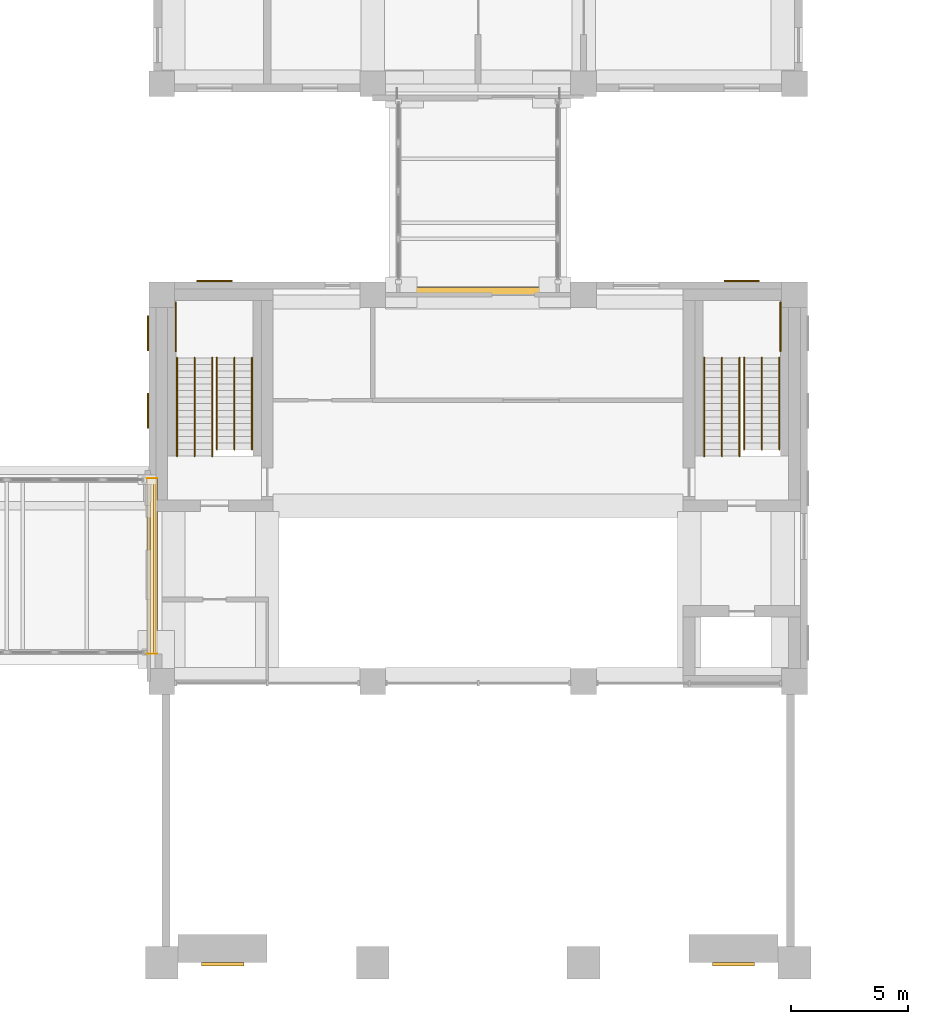
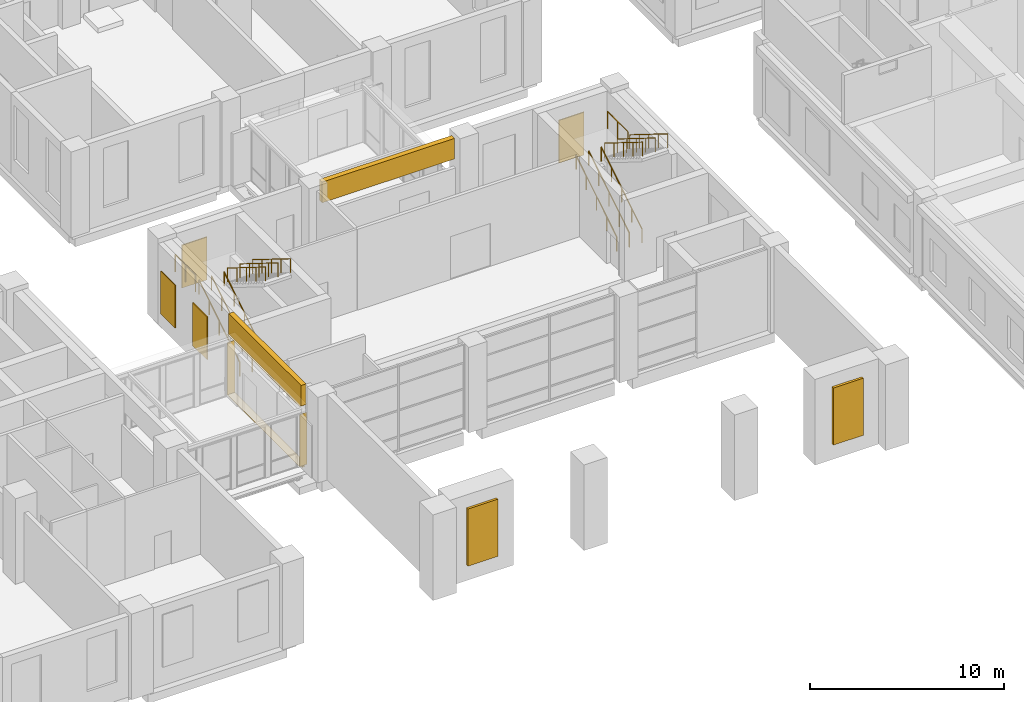
# One storey, part 44 of 52: 14 railings, 13 coverings.
"""IFC4 building model written with IfcOpenShell, lengths in metres."""

from ifc_helpers import new_model, si_unit, direction, frame, origin, origin_2d, place, context, subcontext, project, spatial, rectangle, circle, extrude, material, layer, layer_set, type_object, element, save


model = new_model("IFC4")

# Units and contexts
model_context = context("Model", 3, precision=1e-05, world=origin(), true_north=direction((0.0, 1.0)))
body_context = subcontext(model_context, "Body", "Model", "MODEL_VIEW")
ifc_project = project(units=[si_unit("LENGTHUNIT", "METRE"), si_unit("AREAUNIT", "SQUARE_METRE"), si_unit("VOLUMEUNIT", "CUBIC_METRE"), si_unit("PLANEANGLEUNIT", "RADIAN"), si_unit("MASSUNIT", "GRAM", prefix="KILO")], contexts=[model_context])

# Site, building, storey
site_placement = place(None, origin())
site = spatial("IfcSite", under=ifc_project, at=site_placement, CompositionType="ELEMENT")
building_placement = place(site_placement, origin())
building = spatial("IfcBuilding", under=site, at=building_placement, Name="Aurelan Courthouse", CompositionType="ELEMENT")
storey_placement = place(building_placement, frame((0.0, 0.0, 6.60009765625)))
storey = spatial("IfcBuildingStorey", under=building, at=storey_placement, Name="L01", CompositionType="ELEMENT", Elevation=6.60009765625)

# Coverings
ifc_material_1 = material(Name="Bronze sheet cladding")
ifc_layer_1 = layer(ifc_material_1, 0.06005859375)
ifc_layer_set_1 = layer_set([ifc_layer_1], Name="Bronze sheet cladding")
covering_type_1 = type_object("IfcCoveringType", Name="Ceremonial Court blind bay 1500 x 2700", PredefinedType="CLADDING", material=ifc_layer_set_1)
for number, where, z_axis, x_axis, name in (
    (1, (38.25, 29.080078125, 0.89990234375), (0.0, 0.0, 1.0), (1.0, 0.0, 0.0), "Blind bay BB-V1-L01-001"),
    (2, (60.75, 29.080078125, 0.89990234375), (0.0, 0.0, 1.0), (1.0, 0.0, 0.0), "Blind bay BB-V1-L01-002"),
):
    element("IfcCovering", number, at=place(storey_placement, frame(where, z_axis=z_axis, x_axis=x_axis)), inside=storey, type_object=covering_type_1, Name=name, PredefinedType="CLADDING", context=body_context, shape_type="SweptSolid", body=[
        extrude(rectangle(XDim=1.5, YDim=0.06005859375, at=origin_2d()), origin(), (0.0, 0.0, 1.0), 2.699951171875),
    ])
for number, where, z_axis, x_axis, name in (
    (3, (35.419921875, 23.550048828125, 0.89990234375), (0.0, 0.0, 1.0), (1.0, 0.0, 0.0), "Blind bay BB-V1-L01-007"),
    (4, (35.419921875, 26.85009765625, 0.89990234375), (0.0, 0.0, 1.0), (1.0, 0.0, 0.0), "Blind bay BB-V1-L01-008"),
):
    element("IfcCovering", number, at=place(storey_placement, frame(where, z_axis=z_axis, x_axis=x_axis)), inside=storey, type_object=covering_type_1, Name=name, PredefinedType="CLADDING", context=body_context, shape_type="SweptSolid", body=[
        extrude(rectangle(XDim=0.06005859375, YDim=1.5, at=origin_2d()), origin(), (0.0, 0.0, 1.0), 2.699951171875),
    ])
ifc_material_2 = material(Name="Stainless steel", Category="steel")
ifc_layer_2 = layer(ifc_material_2, 0.011962890625)
ifc_layer_set_2 = layer_set([ifc_layer_2], Name="Stainless steel")
covering_type_2 = type_object("IfcCoveringType", Name="Joint cover plate 450 x 12", PredefinedType="FLOORING", material=ifc_layer_set_2)
covering_1_placement = place(storey_placement, frame((35.58740234375, 16.925048828125, 0.0), z_axis=(0.0, 0.0, 1.0), x_axis=(1.0, 0.0, 0.0)))
element("IfcCovering", 5, at=covering_1_placement, inside=storey, type_object=covering_type_2, Name="Floor joint cover JC-F1", PredefinedType="FLOORING", context=body_context, shape_type="SweptSolid", body=[
    extrude(rectangle(XDim=0.449951171875, YDim=7.469970703125, at=origin_2d()), origin(), (0.0, 0.0, 1.0), 0.011962890625),
])
ifc_material_3 = material(Name="Waterproofing membrane")
ifc_layer_3 = layer(ifc_material_3, 0.10009765625)
ifc_layer_set_3 = layer_set([ifc_layer_3], Name="Waterproofing membrane")
covering_type_3 = type_object("IfcCoveringType", Name="Joint seal 125 x 100", PredefinedType="MEMBRANE", material=ifc_layer_set_3)
covering_2_placement = place(storey_placement, frame((35.58740234375, 16.925048828125, -0.10009765625), z_axis=(0.0, 0.0, 1.0), x_axis=(1.0, 0.0, 0.0)))
element("IfcCovering", 6, at=covering_2_placement, inside=storey, type_object=covering_type_3, Name="Joint seal JS-1", PredefinedType="MEMBRANE", context=body_context, shape_type="SweptSolid", body=[
    extrude(rectangle(XDim=0.125, YDim=7.469970703125, at=origin_2d()), origin(), (0.0, 0.0, 1.0), 0.10009765625),
])
ifc_material_4 = material(Name="Limestone cladding", Category="masonry")
ifc_layer_4 = layer(ifc_material_4, 0.300048828125)
ifc_layer_set_4 = layer_set([ifc_layer_4], Name="Limestone cladding")
covering_type_4 = type_object("IfcCoveringType", Name="Limestone infill panel 300", PredefinedType="CLADDING", material=ifc_layer_set_4)
covering_3_placement = place(storey_placement, frame((49.5, 28.64990234375, 3.7998046875), z_axis=(0.0, 0.0, 1.0), x_axis=(1.0, 0.0, 0.0)))
element("IfcCovering", 7, at=covering_3_placement, inside=storey, type_object=covering_type_4, Name="Facade infill panel FI-V1-L01-001", PredefinedType="CLADDING", context=body_context, shape_type="SweptSolid", body=[
    extrude(rectangle(XDim=7.89990234375, YDim=0.300048828125, at=origin_2d()), origin(), (0.0, 0.0, 1.0), 1.300048828125),
])
covering_4_placement = place(storey_placement, frame((35.60009765625, 16.925048828125, 3.7998046875), z_axis=(0.0, 0.0, 1.0), x_axis=(1.0, 0.0, 0.0)))
element("IfcCovering", 8, at=covering_4_placement, inside=storey, type_object=covering_type_4, Name="Facade infill panel FI-V1-L01-002", PredefinedType="CLADDING", context=body_context, shape_type="SweptSolid", body=[
    extrude(rectangle(XDim=0.300048828125, YDim=7.5, at=origin_2d()), origin(), (0.0, 0.0, 1.0), 1.300048828125),
])
ifc_layer_5 = layer(ifc_material_1, 0.14990234375)
ifc_layer_set_5 = layer_set([ifc_layer_5], Name="Bronze sheet cladding")
covering_type_5 = type_object("IfcCoveringType", Name="Relief panel 1800 x 3600 x 150", PredefinedType="CLADDING", material=ifc_layer_set_5)
for number, where, z_axis, x_axis, name in (
    (9, (38.60009765625, -0.074951171875, 0.999755859375), (0.0, 0.0, 1.0), (1.0, 0.0, 0.0), "Relief panel RP-V1-003"),
    (10, (60.39990234375, -0.074951171875, 0.999755859375), (0.0, 0.0, 1.0), (1.0, 0.0, 0.0), "Relief panel RP-V1-004"),
):
    element("IfcCovering", number, at=place(storey_placement, frame(where, z_axis=z_axis, x_axis=x_axis)), inside=storey, type_object=covering_type_5, Name=name, PredefinedType="CLADDING", context=body_context, shape_type="SweptSolid", body=[
        extrude(rectangle(XDim=1.800048828125, YDim=0.14990234375, at=origin_2d()), origin(), (0.0, 0.0, 1.0), 3.60009765625),
    ])
ifc_material_5 = material(Name="Zinc standing-seam cladding")
ifc_layer_6 = layer(ifc_material_5, 0.011962890625)
ifc_layer_set_6 = layer_set([ifc_layer_6], Name="Zinc standing-seam cladding")
covering_type_6 = type_object("IfcCoveringType", Name="Roof joint cover 450 x 12", PredefinedType="ROOFING", material=ifc_layer_set_6)
covering_5_placement = place(storey_placement, frame((35.58740234375, 16.925048828125, 3.7998046875), z_axis=(0.0, 0.0, 1.0), x_axis=(1.0, 0.0, 0.0)))
element("IfcCovering", 11, at=covering_5_placement, inside=storey, type_object=covering_type_6, Name="Roof joint cover JC-R1", PredefinedType="ROOFING", context=body_context, shape_type="SweptSolid", body=[
    extrude(rectangle(XDim=0.449951171875, YDim=7.469970703125, at=origin_2d()), origin(), (0.0, 0.0, 1.0), 0.011962890625),
])

# Railings
ifc_material_6 = material(Name="Steel S355", Category="steel")
railing_type_1 = type_object("IfcRailingType", Name="Stair guard 1100", PredefinedType="GUARDRAIL", material=ifc_material_6)
railing_1_placement = place(storey_placement, frame((62.39990234375, 28.169921875, 2.787109375)))
element("IfcRailing", 12, at=railing_1_placement, inside=storey, type_object=railing_type_1, Name="Guard ST-1E-L01-GL1", PredefinedType="GUARDRAIL", context=body_context, shape_type="SweptSolid", body=[
    extrude(circle(Radius=0.02392578125, at=origin_2d()), frame((0.0, 0.0, 1.076171875), z_axis=(0.0, -1.0, 0.0), x_axis=(1.0, 0.0, 0.0)), (0.0, 0.0, 1.0), 2.084716796875),
    extrude(circle(Radius=0.02099609375, at=origin_2d()), origin(), (0.0, 0.0, 1.0), 1.052001953125),
    extrude(circle(Radius=0.02099609375, at=origin_2d()), frame((0.0, -1.04248046875, 0.0)), (0.0, 0.0, 1.0), 1.052001953125),
    extrude(circle(Radius=0.02099609375, at=origin_2d()), frame((0.0, -2.084716796875, 0.0)), (0.0, 0.0, 1.0), 1.052001953125),
])
railing_2_placement = place(storey_placement, frame((36.60009765625, 26.085205078125, 2.787109375)))
element("IfcRailing", 13, at=railing_2_placement, inside=storey, type_object=railing_type_1, Name="Guard ST-1W-L01-GL1", PredefinedType="GUARDRAIL", context=body_context, shape_type="SweptSolid", body=[
    extrude(circle(Radius=0.02392578125, at=origin_2d()), frame((0.0, 0.0, 1.076171875), z_axis=(0.0, 1.0, 0.0), x_axis=(-1.0, 0.0, 0.0)), (0.0, 0.0, 1.0), 2.084716796875),
    extrude(circle(Radius=0.02099609375, at=origin_2d()), origin(), (0.0, 0.0, 1.0), 1.052001953125),
    extrude(circle(Radius=0.02099609375, at=origin_2d()), frame((0.0, 1.04248046875, 0.0)), (0.0, 0.0, 1.0), 1.052001953125),
    extrude(circle(Radius=0.02099609375, at=origin_2d()), frame((0.0, 2.084716796875, 0.0)), (0.0, 0.0, 1.0), 1.052001953125),
])
railing_type_2 = type_object("IfcRailingType", Name="Stair handrail 900", PredefinedType="HANDRAIL", material=ifc_material_6)
for number, where, name in (
    (14, (59.14990234375, 21.610107421875, 0.174072265625), "Handrail ST-1E-L01-H1"),
    (15, (60.64990234375, 21.610107421875, 0.174072265625), "Handrail ST-1E-L01-H2"),
    (16, (59.89990234375, 21.610107421875, 0.174072265625), "Handrail ST-1E-L01-H3"),
):
    element("IfcRailing", number, at=place(storey_placement, frame(where)), inside=storey, type_object=railing_type_2, Name=name, PredefinedType="HANDRAIL", context=body_context, shape_type="SweptSolid", body=[
        extrude(circle(Radius=0.02392578125, at=origin_2d()), frame((0.0, 0.0, 0.8759765625), z_axis=(0.0, 0.849080710111, 0.528263142494), x_axis=(-1.0, 0.0, 0.0)), (0.0, 0.0, 1.0), 4.946533203125),
        extrude(circle(Radius=0.02099609375, at=origin_2d()), origin(), (0.0, 0.0, 1.0), 0.851806640625),
        extrude(circle(Radius=0.02099609375, at=origin_2d()), frame((0.0, 1.050048828125, 0.6533203125)), (0.0, 0.0, 1.0), 0.851806640625),
        extrude(circle(Radius=0.02099609375, at=origin_2d()), frame((0.0, 2.10009765625, 1.306640625)), (0.0, 0.0, 1.0), 0.851806640625),
        extrude(circle(Radius=0.02099609375, at=origin_2d()), frame((0.0, 3.14990234375, 1.959716796875)), (0.0, 0.0, 1.0), 0.851806640625),
        extrude(circle(Radius=0.02099609375, at=origin_2d()), frame((0.0, 4.199951171875, 2.613037109375)), (0.0, 0.0, 1.0), 0.851806640625),
    ])
for number, where, name in (
    (17, (60.85009765625, 25.81005859375, 2.961181640625), "Handrail ST-1E-L01-H4"),
    (18, (62.35009765625, 25.81005859375, 2.961181640625), "Handrail ST-1E-L01-H5"),
    (19, (61.60009765625, 25.81005859375, 2.961181640625), "Handrail ST-1E-L01-H6"),
):
    element("IfcRailing", number, at=place(storey_placement, frame(where)), inside=storey, type_object=railing_type_2, Name=name, PredefinedType="HANDRAIL", context=body_context, shape_type="SweptSolid", body=[
        extrude(circle(Radius=0.02392578125, at=origin_2d()), frame((0.0, 0.0, 0.8759765625), z_axis=(0.0, -0.849104567483, 0.528224794457), x_axis=(1.0, 0.0, 0.0)), (0.0, 0.0, 1.0), 4.616943359375),
        extrude(circle(Radius=0.02099609375, at=origin_2d()), origin(), (0.0, 0.0, 1.0), 0.851806640625),
        extrude(circle(Radius=0.02099609375, at=origin_2d()), frame((0.0, -0.97998046875, 0.609619140625)), (0.0, 0.0, 1.0), 0.851806640625),
        extrude(circle(Radius=0.02099609375, at=origin_2d()), frame((0.0, -1.9599609375, 1.21923828125)), (0.0, 0.0, 1.0), 0.851806640625),
        extrude(circle(Radius=0.02099609375, at=origin_2d()), frame((0.0, -2.940185546875, 1.8291015625)), (0.0, 0.0, 1.0), 0.851806640625),
        extrude(circle(Radius=0.02099609375, at=origin_2d()), frame((0.0, -3.920166015625, 2.438720703125)), (0.0, 0.0, 1.0), 0.851806640625),
    ])
for number, where, name in (
    (20, (36.64990234375, 21.610107421875, 0.174072265625), "Handrail ST-1W-L01-H1"),
    (21, (38.14990234375, 21.610107421875, 0.174072265625), "Handrail ST-1W-L01-H2"),
    (22, (37.39990234375, 21.610107421875, 0.174072265625), "Handrail ST-1W-L01-H3"),
):
    element("IfcRailing", number, at=place(storey_placement, frame(where)), inside=storey, type_object=railing_type_2, Name=name, PredefinedType="HANDRAIL", context=body_context, shape_type="SweptSolid", body=[
        extrude(circle(Radius=0.02392578125, at=origin_2d()), frame((0.0, 0.0, 0.8759765625), z_axis=(0.0, 0.849080710111, 0.528263142494), x_axis=(-1.0, 0.0, 0.0)), (0.0, 0.0, 1.0), 4.946533203125),
        extrude(circle(Radius=0.02099609375, at=origin_2d()), origin(), (0.0, 0.0, 1.0), 0.851806640625),
        extrude(circle(Radius=0.02099609375, at=origin_2d()), frame((0.0, 1.050048828125, 0.6533203125)), (0.0, 0.0, 1.0), 0.851806640625),
        extrude(circle(Radius=0.02099609375, at=origin_2d()), frame((0.0, 2.10009765625, 1.306640625)), (0.0, 0.0, 1.0), 0.851806640625),
        extrude(circle(Radius=0.02099609375, at=origin_2d()), frame((0.0, 3.14990234375, 1.959716796875)), (0.0, 0.0, 1.0), 0.851806640625),
        extrude(circle(Radius=0.02099609375, at=origin_2d()), frame((0.0, 4.199951171875, 2.613037109375)), (0.0, 0.0, 1.0), 0.851806640625),
    ])
for number, where, name in (
    (23, (38.35009765625, 25.81005859375, 2.961181640625), "Handrail ST-1W-L01-H4"),
    (24, (39.85009765625, 25.81005859375, 2.961181640625), "Handrail ST-1W-L01-H5"),
    (25, (39.10009765625, 25.81005859375, 2.961181640625), "Handrail ST-1W-L01-H6"),
):
    element("IfcRailing", number, at=place(storey_placement, frame(where)), inside=storey, type_object=railing_type_2, Name=name, PredefinedType="HANDRAIL", context=body_context, shape_type="SweptSolid", body=[
        extrude(circle(Radius=0.02392578125, at=origin_2d()), frame((0.0, 0.0, 0.8759765625), z_axis=(0.0, -0.849104567483, 0.528224794457), x_axis=(1.0, 0.0, 0.0)), (0.0, 0.0, 1.0), 4.616943359375),
        extrude(circle(Radius=0.02099609375, at=origin_2d()), origin(), (0.0, 0.0, 1.0), 0.851806640625),
        extrude(circle(Radius=0.02099609375, at=origin_2d()), frame((0.0, -0.97998046875, 0.609619140625)), (0.0, 0.0, 1.0), 0.851806640625),
        extrude(circle(Radius=0.02099609375, at=origin_2d()), frame((0.0, -1.9599609375, 1.21923828125)), (0.0, 0.0, 1.0), 0.851806640625),
        extrude(circle(Radius=0.02099609375, at=origin_2d()), frame((0.0, -2.940185546875, 1.8291015625)), (0.0, 0.0, 1.0), 0.851806640625),
        extrude(circle(Radius=0.02099609375, at=origin_2d()), frame((0.0, -3.920166015625, 2.438720703125)), (0.0, 0.0, 1.0), 0.851806640625),
    ])

# Coverings
ifc_layer_7 = layer(ifc_material_1, 0.011962890625)
ifc_layer_set_7 = layer_set([ifc_layer_7], Name="Bronze sheet cladding")
covering_type_7 = type_object("IfcCoveringType", Name="Wall joint cover 450 x 12", PredefinedType="CLADDING", material=ifc_layer_set_7)
for number, where, z_axis, x_axis, name in (
    (26, (35.58740234375, 13.18408203125, 0.011962890625), (0.0, 0.0, 1.0), (1.0, 0.0, 0.0), "Wall joint cover JC-W1"),
    (27, (35.58740234375, 20.666015625, 0.011962890625), (0.0, 0.0, 1.0), (1.0, 0.0, 0.0), "Wall joint cover JC-W2"),
):
    element("IfcCovering", number, at=place(storey_placement, frame(where, z_axis=z_axis, x_axis=x_axis)), inside=storey, type_object=covering_type_7, Name=name, PredefinedType="CLADDING", context=body_context, shape_type="SweptSolid", body=[
        extrude(rectangle(XDim=0.449951171875, YDim=0.011962890625, at=origin_2d()), origin(), (0.0, 0.0, 1.0), 3.2880859375),
    ])

save(model, "model.ifc")
